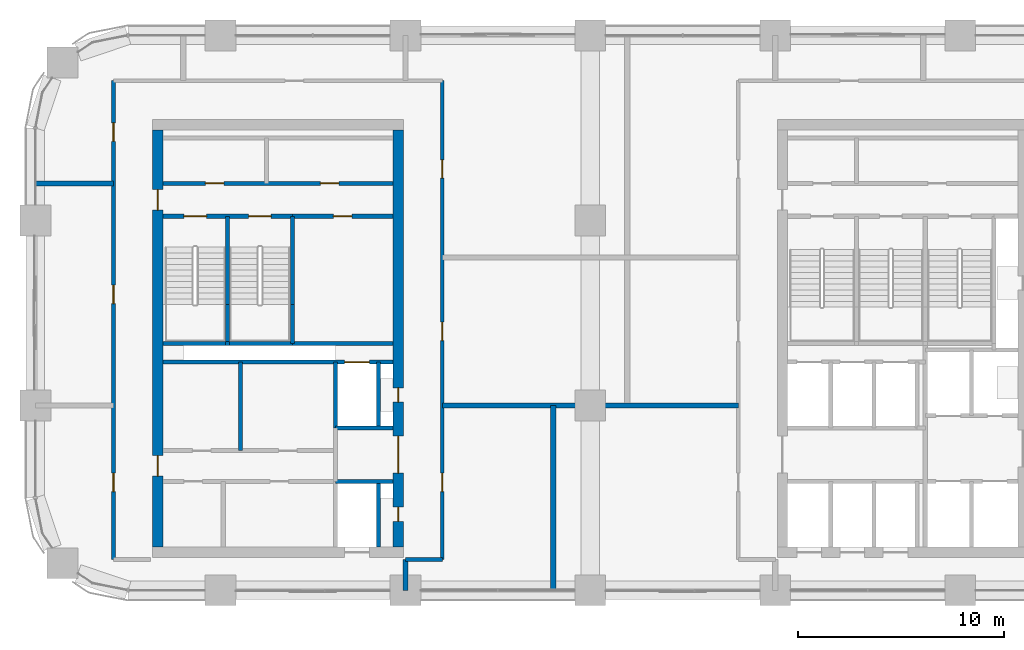
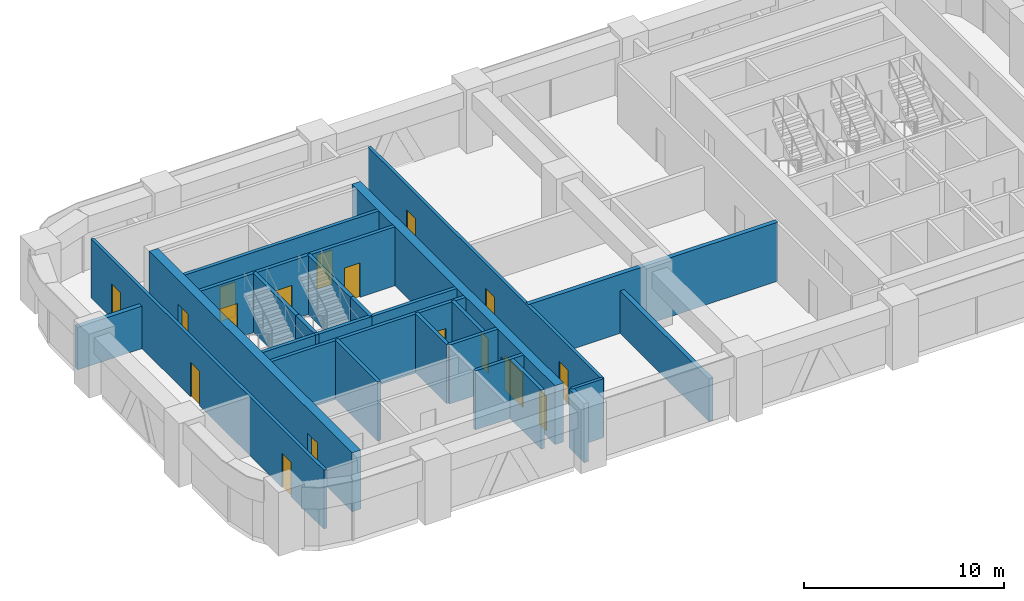
# One storey, part 8 of 18: 27 walls, 17 doors, 17 openings.
"""IFC4 building model written with IfcOpenShell, lengths in metres."""

from ifc_helpers import new_model, si_unit, direction, frame, frame_2d, origin, place, context, subcontext, project, spatial, rectangle, extrude, material, layer, layer_set, type_object, element, fill, save


model = new_model("IFC4")

# Units and contexts
model_context = context("Model", 3, precision=1e-05, world=origin(), true_north=direction((0.0, 1.0)))
body_context = subcontext(model_context, "Body", "Model", "MODEL_VIEW")
ifc_project = project(units=[si_unit("LENGTHUNIT", "METRE"), si_unit("AREAUNIT", "SQUARE_METRE"), si_unit("VOLUMEUNIT", "CUBIC_METRE"), si_unit("PLANEANGLEUNIT", "RADIAN"), si_unit("MASSUNIT", "GRAM", prefix="KILO")], contexts=[model_context])

# Site, building, storey
site_placement = place(None, origin())
site = spatial("IfcSite", under=ifc_project, at=site_placement, CompositionType="ELEMENT")
building_placement = place(site_placement, origin())
building = spatial("IfcBuilding", under=site, at=building_placement, Name="Tessera Arch", CompositionType="ELEMENT")
storey_placement = place(building_placement, frame((0.0, 0.0, 185.60009765625)))
storey = spatial("IfcBuildingStorey", under=building, at=storey_placement, Name="L44", CompositionType="ELEMENT", Elevation=185.60009765625)

# Wall
ifc_material_1 = material(Name="Gypsum board on steel stud", Category="steel")
ifc_layer_1 = layer(ifc_material_1, 0.125)
ifc_layer_set_1 = layer_set([ifc_layer_1], Name="Core partition 125 EI 60")
wall_type_1 = type_object("IfcWallType", Name="Core partition 125 EI 60", PredefinedType="PARTITIONING", material=ifc_layer_set_1)
wall_1_placement = place(storey_placement, frame((9.97998046875, 33.800048828125, 0.0), z_axis=(0.0, 0.0, 1.0), x_axis=(0.0, 1.0, 0.0)))
element("IfcWall", 1, at=wall_1_placement, inside=storey, type_object=wall_type_1, Name="L44 C2 partition wall 4", PredefinedType="PARTITIONING", context=body_context, shape_type="SweptSolid", body=[
    extrude(rectangle(XDim=4.300048828125, YDim=0.199951171875, at=frame_2d((2.14990234375, 0.0))), origin(), (0.0, 0.0, 1.0), 3.599853515625),
])

# Wall, opening, door
wall_2_placement = place(storey_placement, frame((12.5, 45.199951171875, 0.0), z_axis=(0.0, 0.0, 1.0), x_axis=(1.0, 0.0, 0.0)))
wall_2 = element("IfcWall", 2, at=wall_2_placement, inside=storey, type_object=wall_type_1, Name="L44 C2 partition wall 22", PredefinedType="PARTITIONING", context=body_context, shape_type="SweptSolid", body=[
    extrude(rectangle(XDim=4.89990234375, YDim=0.199951171875, at=frame_2d((2.449951171875, 0.0))), origin(), (0.0, 0.0, 1.0), 3.599853515625),
])
opening_1_placement = place(wall_2_placement, frame((2.0, 0.0, 0.0)))
opening_1 = element("IfcOpeningElement", 3, at=opening_1_placement, cuts=wall_2, Name="Opening L44-C31", PredefinedType="OPENING", context=body_context, shape_type="SweptSolid", body=[
    extrude(rectangle(XDim=0.89990234375, YDim=2.10009765625, at=frame_2d((0.449951171875, 1.050048828125))), frame((0.0, 0.10986328125, 0.0), z_axis=(0.0, -1.0, 0.0), x_axis=(1.0, 0.0, 0.0)), (0.0, 0.0, 1.0), 0.219970703125),
])
ifc_material_2 = material(Name="Steel door leaf", Category="steel")
door_type_1 = type_object("IfcDoorType", Name="Store door FD30S 900 x 2100", OperationType="SINGLE_SWING_LEFT", PredefinedType="DOOR", material=ifc_material_2)
door_1_placement = place(opening_1_placement, origin())
door_1 = element("IfcDoor", 4, at=door_1_placement, inside=storey, type_object=door_type_1, Name="L44 C2 door 12 C31 type D09", OperationType="SINGLE_SWING_RIGHT", OverallHeight=2.10009765625, OverallWidth=0.89990234375, PredefinedType="DOOR", context=body_context, shape_type="SweptSolid", body=[
    extrude(rectangle(XDim=0.89990234375, YDim=2.10009765625, at=frame_2d((0.449951171875, 1.050048828125))), frame((0.0, 0.02490234375, 0.0), z_axis=(0.0, -1.0, 0.0), x_axis=(1.0, 0.0, 0.0)), (0.0, 0.0, 1.0), 0.050048828125),
])
fill(opening_1, door_1)

# Wall, openings, doors
wall_3_placement = place(storey_placement, frame((6.199951171875, 46.800048828125, 0.0), z_axis=(0.0, 0.0, 1.0), x_axis=(1.0, 0.0, 0.0)))
wall_3 = element("IfcWall", 5, at=wall_3_placement, inside=storey, type_object=wall_type_1, Name="L44 C2 partition wall 24", PredefinedType="PARTITIONING", context=body_context, shape_type="SweptSolid", body=[
    extrude(rectangle(XDim=11.199951171875, YDim=0.199951171875, at=frame_2d((5.60009765625, 0.0))), origin(), (0.0, 0.0, 1.0), 3.599853515625),
])
opening_2_placement = place(wall_3_placement, frame((2.070068359375, 0.0, 0.0)))
opening_2 = element("IfcOpeningElement", 6, at=opening_2_placement, cuts=wall_3, Name="Opening L44-C29", PredefinedType="OPENING", context=body_context, shape_type="SweptSolid", body=[
    extrude(rectangle(XDim=0.89990234375, YDim=2.10009765625, at=frame_2d((0.449951171875, 1.050048828125))), frame((0.0, 0.10986328125, 0.0), z_axis=(0.0, -1.0, 0.0), x_axis=(1.0, 0.0, 0.0)), (0.0, 0.0, 1.0), 0.219970703125),
])
opening_3_placement = place(wall_3_placement, frame((7.669921875, 0.0, 0.0)))
opening_3 = element("IfcOpeningElement", 7, at=opening_3_placement, cuts=wall_3, Name="Opening L44-C30", PredefinedType="OPENING", context=body_context, shape_type="SweptSolid", body=[
    extrude(rectangle(XDim=0.89990234375, YDim=2.10009765625, at=frame_2d((0.449951171875, 1.050048828125))), frame((0.0, 0.10986328125, 0.0), z_axis=(0.0, -1.0, 0.0), x_axis=(1.0, 0.0, 0.0)), (0.0, 0.0, 1.0), 0.219970703125),
])
door_2_placement = place(opening_2_placement, origin())
door_2 = element("IfcDoor", 8, at=door_2_placement, inside=storey, type_object=door_type_1, Name="L44 C2 door 10 C29 type D09", OperationType="SINGLE_SWING_LEFT", OverallHeight=2.10009765625, OverallWidth=0.89990234375, PredefinedType="DOOR", context=body_context, shape_type="SweptSolid", body=[
    extrude(rectangle(XDim=0.89990234375, YDim=2.10009765625, at=frame_2d((0.449951171875, 1.050048828125))), frame((0.0, 0.02490234375, 0.0), z_axis=(0.0, -1.0, 0.0), x_axis=(1.0, 0.0, 0.0)), (0.0, 0.0, 1.0), 0.050048828125),
])
fill(opening_2, door_2)
door_3_placement = place(opening_3_placement, origin())
door_3 = element("IfcDoor", 9, at=door_3_placement, inside=storey, type_object=door_type_1, Name="L44 C2 door 11 C30 type D09", OperationType="SINGLE_SWING_RIGHT", OverallHeight=2.10009765625, OverallWidth=0.89990234375, PredefinedType="DOOR", context=body_context, shape_type="SweptSolid", body=[
    extrude(rectangle(XDim=0.89990234375, YDim=2.10009765625, at=frame_2d((0.449951171875, 1.050048828125))), frame((0.0, 0.02490234375, 0.0), z_axis=(0.0, -1.0, 0.0), x_axis=(1.0, 0.0, 0.0)), (0.0, 0.0, 1.0), 0.050048828125),
])
fill(opening_3, door_3)

ifc_material_3 = material(Name="Concrete C60/75", Category="concrete")
ifc_layer_2 = layer(ifc_material_3, 0.5)
ifc_layer_set_2 = layer_set([ifc_layer_2], Name="Core shell wall 500 C60-75")
wall_type_2 = type_object("IfcWallType", Name="Core shell wall 500 C60-75", PredefinedType="SHEAR", material=ifc_layer_set_2)
wall_4_placement = place(storey_placement, frame((5.949951171875, 29.10009765625, 0.0), z_axis=(0.0, 0.0, 1.0), x_axis=(0.0, 1.0, 0.0)))
wall_4 = element("IfcWall", 10, at=wall_4_placement, inside=storey, type_object=wall_type_2, Name="L44 C2 core wall W", PredefinedType="SHEAR", context=body_context, shape_type="SweptSolid", body=[
    extrude(rectangle(XDim=20.2998046875, YDim=0.5, at=frame_2d((10.14990234375, 0.0))), origin(), (0.0, 0.0, 1.0), 3.599853515625),
])
opening_4_placement = place(wall_4_placement, frame((3.449951171875, 0.0, 0.0)))
opening_4 = element("IfcOpeningElement", 11, at=opening_4_placement, cuts=wall_4, Name="Opening L44-C27", PredefinedType="OPENING", context=body_context, shape_type="SweptSolid", body=[
    extrude(rectangle(XDim=1.0, YDim=2.10009765625, at=frame_2d((0.5, 1.050048828125))), frame((0.0, 0.260009765625, 0.0), z_axis=(0.0, -1.0, 0.0), x_axis=(1.0, 0.0, 0.0)), (0.0, 0.0, 1.0), 0.52001953125),
])
opening_5_placement = place(wall_4_placement, frame((16.39990234375, 0.0, 0.0)))
opening_5 = element("IfcOpeningElement", 12, at=opening_5_placement, cuts=wall_4, Name="Opening L44-C28", PredefinedType="OPENING", context=body_context, shape_type="SweptSolid", body=[
    extrude(rectangle(XDim=1.0, YDim=2.10009765625, at=frame_2d((0.5, 1.050048828125))), frame((0.0, 0.260009765625, 0.0), z_axis=(0.0, -1.0, 0.0), x_axis=(1.0, 0.0, 0.0)), (0.0, 0.0, 1.0), 0.52001953125),
])
ifc_material_4 = material(Name="Steel door leaf", Category="steel")
door_type_2 = type_object("IfcDoorType", Name="Corridor door FD60 1000 x 2100", OperationType="SINGLE_SWING_LEFT", PredefinedType="DOOR", material=ifc_material_4)
door_4_placement = place(opening_4_placement, origin())
door_4 = element("IfcDoor", 13, at=door_4_placement, inside=storey, type_object=door_type_2, Name="L44 C2 door 8 C27 type D12", OperationType="SINGLE_SWING_LEFT", OverallHeight=2.10009765625, OverallWidth=1.0, PredefinedType="DOOR", context=body_context, shape_type="SweptSolid", body=[
    extrude(rectangle(XDim=1.0, YDim=2.10009765625, at=frame_2d((0.5, 1.050048828125))), frame((0.0, 0.02490234375, 0.0), z_axis=(0.0, -1.0, 0.0), x_axis=(1.0, 0.0, 0.0)), (0.0, 0.0, 1.0), 0.050048828125),
])
fill(opening_4, door_4)
door_5_placement = place(opening_5_placement, origin())
door_5 = element("IfcDoor", 14, at=door_5_placement, inside=storey, type_object=door_type_2, Name="L44 C2 door 9 C28 type D12", OperationType="SINGLE_SWING_RIGHT", OverallHeight=2.10009765625, OverallWidth=1.0, PredefinedType="DOOR", context=body_context, shape_type="SweptSolid", body=[
    extrude(rectangle(XDim=1.0, YDim=2.10009765625, at=frame_2d((0.5, 1.050048828125))), frame((0.0, 0.02490234375, 0.0), z_axis=(0.0, -1.0, 0.0), x_axis=(1.0, 0.0, 0.0)), (0.0, 0.0, 1.0), 0.050048828125),
])
fill(opening_5, door_5)

wall_5_placement = place(storey_placement, frame((17.64990234375, 29.10009765625, 0.0), z_axis=(0.0, 0.0, 1.0), x_axis=(0.0, 1.0, 0.0)))
wall_5 = element("IfcWall", 15, at=wall_5_placement, inside=storey, type_object=wall_type_2, Name="L44 C2 core wall E", PredefinedType="SHEAR", context=body_context, shape_type="SweptSolid", body=[
    extrude(rectangle(XDim=20.2998046875, YDim=0.5, at=frame_2d((10.14990234375, 0.0))), origin(), (0.0, 0.0, 1.0), 3.599853515625),
])
opening_6_placement = place(wall_5_placement, frame((1.25, 0.0, 0.0)))
opening_6 = element("IfcOpeningElement", 16, at=opening_6_placement, cuts=wall_5, Name="Opening L44-C22", PredefinedType="OPENING", context=body_context, shape_type="SweptSolid", body=[
    extrude(rectangle(XDim=0.699951171875, YDim=2.10009765625, at=frame_2d((0.35009765625, 1.050048828125))), frame((0.0, 0.260009765625, 0.0), z_axis=(0.0, -1.0, 0.0), x_axis=(1.0, 0.0, 0.0)), (0.0, 0.0, 1.0), 0.52001953125),
])
opening_7_placement = place(wall_5_placement, frame((7.050048828125, 0.0, 0.0)))
opening_7 = element("IfcOpeningElement", 17, at=opening_7_placement, cuts=wall_5, Name="Opening L44-C23", PredefinedType="OPENING", context=body_context, shape_type="SweptSolid", body=[
    extrude(rectangle(XDim=0.699951171875, YDim=2.10009765625, at=frame_2d((0.35009765625, 1.050048828125))), frame((0.0, 0.260009765625, 0.0), z_axis=(0.0, -1.0, 0.0), x_axis=(1.0, 0.0, 0.0)), (0.0, 0.0, 1.0), 0.52001953125),
])
opening_8_placement = place(wall_5_placement, frame((3.60009765625, 0.0, 0.0)))
opening_8 = element("IfcOpeningElement", 18, at=opening_8_placement, cuts=wall_5, Name="Opening L44-C26", PredefinedType="OPENING", context=body_context, shape_type="SweptSolid", body=[
    extrude(rectangle(XDim=1.800048828125, YDim=2.10009765625, at=frame_2d((0.89990234375, 1.050048828125))), frame((0.0, 0.260009765625, 0.0), z_axis=(0.0, -1.0, 0.0), x_axis=(1.0, 0.0, 0.0)), (0.0, 0.0, 1.0), 0.52001953125),
])
ifc_material_5 = material(Name="Glazed steel door leaf", Category="steel")
door_type_3 = type_object("IfcDoorType", Name="Lobby double door FD30S 1800 x 2100", OperationType="DOUBLE_DOOR_SINGLE_SWING", PredefinedType="DOOR", material=ifc_material_5)
door_6_placement = place(opening_8_placement, origin())
door_6 = element("IfcDoor", 19, at=door_6_placement, inside=storey, type_object=door_type_3, Name="L44 C2 door 7 C26 type D06", OperationType="DOUBLE_DOOR_SINGLE_SWING", OverallHeight=2.10009765625, OverallWidth=1.800048828125, PredefinedType="DOOR", context=body_context, shape_type="SweptSolid", body=[
    extrude(rectangle(XDim=1.800048828125, YDim=2.10009765625, at=frame_2d((0.89990234375, 1.050048828125))), frame((0.0, 0.02490234375, 0.0), z_axis=(0.0, -1.0, 0.0), x_axis=(1.0, 0.0, 0.0)), (0.0, 0.0, 1.0), 0.050048828125),
])
fill(opening_8, door_6)
ifc_material_6 = material(Name="Steel door leaf", Category="steel")
door_type_4 = type_object("IfcDoorType", Name="Service shaft door FD60 700 x 2100", OperationType="SINGLE_SWING_LEFT", PredefinedType="DOOR", material=ifc_material_6)
door_7_placement = place(opening_6_placement, origin())
door_7 = element("IfcDoor", 20, at=door_7_placement, inside=storey, type_object=door_type_4, Name="L44 C2 door 3 C22 type D07", OperationType="SINGLE_SWING_LEFT", OverallHeight=2.10009765625, OverallWidth=0.699951171875, PredefinedType="DOOR", context=body_context, shape_type="SweptSolid", body=[
    extrude(rectangle(XDim=0.699951171875, YDim=2.10009765625, at=frame_2d((0.35009765625, 1.050048828125))), frame((0.0, 0.02490234375, 0.0), z_axis=(0.0, -1.0, 0.0), x_axis=(1.0, 0.0, 0.0)), (0.0, 0.0, 1.0), 0.050048828125),
])
fill(opening_6, door_7)
door_8_placement = place(opening_7_placement, origin())
door_8 = element("IfcDoor", 21, at=door_8_placement, inside=storey, type_object=door_type_4, Name="L44 C2 door 4 C23 type D07", OperationType="SINGLE_SWING_LEFT", OverallHeight=2.10009765625, OverallWidth=0.699951171875, PredefinedType="DOOR", context=body_context, shape_type="SweptSolid", body=[
    extrude(rectangle(XDim=0.699951171875, YDim=2.10009765625, at=frame_2d((0.35009765625, 1.050048828125))), frame((0.0, 0.02490234375, 0.0), z_axis=(0.0, -1.0, 0.0), x_axis=(1.0, 0.0, 0.0)), (0.0, 0.0, 1.0), 0.050048828125),
])
fill(opening_7, door_8)

# Wall
ifc_material_7 = material(Name="Gypsum board on deep steel stud with mineral wool", Category="steel")
ifc_layer_3 = layer(ifc_material_7, 0.175048828125)
ifc_layer_set_3 = layer_set([ifc_layer_3], Name="Corridor wall 175 EI 60")
wall_type_3 = type_object("IfcWallType", Name="Corridor wall 175 EI 60", PredefinedType="PARTITIONING", material=ifc_layer_set_3)
wall_6_placement = place(storey_placement, frame((18.0, 28.5, 0.0), z_axis=(0.0, 0.0, 1.0), x_axis=(1.0, 0.0, 0.0)))
element("IfcWall", 22, at=wall_6_placement, inside=storey, type_object=wall_type_3, Name="L44 partition 2", PredefinedType="PARTITIONING", context=body_context, shape_type="SweptSolid", body=[
    extrude(rectangle(XDim=1.800048828125, YDim=0.175048828125, at=frame_2d((0.89990234375, 0.0))), origin(), (0.0, 0.0, 1.0), 3.599853515625),
])

# Wall, openings, doors
wall_7_placement = place(storey_placement, frame((3.800048828125, 28.5, 0.0), z_axis=(0.0, 0.0, 1.0), x_axis=(0.0, 1.0, 0.0)))
wall_7 = element("IfcWall", 23, at=wall_7_placement, inside=storey, type_object=wall_type_3, Name="L44 partition 7", PredefinedType="PARTITIONING", context=body_context, shape_type="SweptSolid", body=[
    extrude(rectangle(XDim=23.300048828125, YDim=0.175048828125, at=frame_2d((11.64990234375, 0.0))), origin(), (0.0, 0.0, 1.0), 3.599853515625),
])
opening_9_placement = place(wall_7_placement, frame((3.300048828125, 0.0, 0.0)))
opening_9 = element("IfcOpeningElement", 24, at=opening_9_placement, cuts=wall_7, Name="Opening L44-D001", PredefinedType="OPENING", context=body_context, shape_type="SweptSolid", body=[
    extrude(rectangle(XDim=0.89990234375, YDim=2.10009765625, at=frame_2d((0.449951171875, 1.050048828125))), frame((0.0, 0.097412109375, 0.0), z_axis=(0.0, -1.0, 0.0), x_axis=(1.0, 0.0, 0.0)), (0.0, 0.0, 1.0), 0.195068359375),
])
opening_10_placement = place(wall_7_placement, frame((12.449951171875, 0.0, 0.0)))
opening_10 = element("IfcOpeningElement", 25, at=opening_10_placement, cuts=wall_7, Name="Opening L44-D007", PredefinedType="OPENING", context=body_context, shape_type="SweptSolid", body=[
    extrude(rectangle(XDim=0.89990234375, YDim=2.10009765625, at=frame_2d((0.449951171875, 1.050048828125))), frame((0.0, 0.097412109375, 0.0), z_axis=(0.0, -1.0, 0.0), x_axis=(1.0, 0.0, 0.0)), (0.0, 0.0, 1.0), 0.195068359375),
])
opening_11_placement = place(wall_7_placement, frame((20.35009765625, 0.0, 0.0)))
opening_11 = element("IfcOpeningElement", 26, at=opening_11_placement, cuts=wall_7, Name="Opening L44-D011", PredefinedType="OPENING", context=body_context, shape_type="SweptSolid", body=[
    extrude(rectangle(XDim=0.89990234375, YDim=2.10009765625, at=frame_2d((0.449951171875, 1.050048828125))), frame((0.0, 0.097412109375, 0.0), z_axis=(0.0, -1.0, 0.0), x_axis=(1.0, 0.0, 0.0)), (0.0, 0.0, 1.0), 0.195068359375),
])
ifc_material_8 = material(Name="Timber door leaf", Category="wood")
door_type_5 = type_object("IfcDoorType", Name="Room door 900 x 2100", OperationType="SINGLE_SWING_LEFT", PredefinedType="DOOR", material=ifc_material_8)
door_9_placement = place(opening_9_placement, origin())
door_9 = element("IfcDoor", 27, at=door_9_placement, inside=storey, type_object=door_type_5, Name="L44 door D001 type D01", OperationType="SINGLE_SWING_LEFT", OverallHeight=2.10009765625, OverallWidth=0.89990234375, PredefinedType="DOOR", context=body_context, shape_type="SweptSolid", body=[
    extrude(rectangle(XDim=0.89990234375, YDim=2.10009765625, at=frame_2d((0.449951171875, 1.050048828125))), frame((0.0, 0.02490234375, 0.0), z_axis=(0.0, -1.0, 0.0), x_axis=(1.0, 0.0, 0.0)), (0.0, 0.0, 1.0), 0.050048828125),
])
fill(opening_9, door_9)
door_10_placement = place(opening_10_placement, origin())
door_10 = element("IfcDoor", 28, at=door_10_placement, inside=storey, type_object=door_type_5, Name="L44 door D007 type D01", OperationType="SINGLE_SWING_LEFT", OverallHeight=2.10009765625, OverallWidth=0.89990234375, PredefinedType="DOOR", context=body_context, shape_type="SweptSolid", body=[
    extrude(rectangle(XDim=0.89990234375, YDim=2.10009765625, at=frame_2d((0.449951171875, 1.050048828125))), frame((0.0, 0.02490234375, 0.0), z_axis=(0.0, -1.0, 0.0), x_axis=(1.0, 0.0, 0.0)), (0.0, 0.0, 1.0), 0.050048828125),
])
fill(opening_10, door_10)
door_11_placement = place(opening_11_placement, origin())
door_11 = element("IfcDoor", 29, at=door_11_placement, inside=storey, type_object=door_type_5, Name="L44 door D011 type D01", OperationType="SINGLE_SWING_LEFT", OverallHeight=2.10009765625, OverallWidth=0.89990234375, PredefinedType="DOOR", context=body_context, shape_type="SweptSolid", body=[
    extrude(rectangle(XDim=0.89990234375, YDim=2.10009765625, at=frame_2d((0.449951171875, 1.050048828125))), frame((0.0, 0.02490234375, 0.0), z_axis=(0.0, -1.0, 0.0), x_axis=(1.0, 0.0, 0.0)), (0.0, 0.0, 1.0), 0.050048828125),
])
fill(opening_11, door_11)

wall_8_placement = place(storey_placement, frame((19.800048828125, 28.5, 0.0), z_axis=(0.0, 0.0, 1.0), x_axis=(0.0, 1.0, 0.0)))
wall_8 = element("IfcWall", 30, at=wall_8_placement, inside=storey, type_object=wall_type_3, Name="L44 partition 8", PredefinedType="PARTITIONING", context=body_context, shape_type="SweptSolid", body=[
    extrude(rectangle(XDim=23.300048828125, YDim=0.175048828125, at=frame_2d((11.64990234375, 0.0))), origin(), (0.0, 0.0, 1.0), 3.599853515625),
])
opening_12_placement = place(wall_8_placement, frame((3.300048828125, 0.0, 0.0)))
opening_12 = element("IfcOpeningElement", 31, at=opening_12_placement, cuts=wall_8, Name="Opening L44-D003", PredefinedType="OPENING", context=body_context, shape_type="SweptSolid", body=[
    extrude(rectangle(XDim=0.89990234375, YDim=2.10009765625, at=frame_2d((0.449951171875, 1.050048828125))), frame((0.0, 0.097412109375, 0.0), z_axis=(0.0, -1.0, 0.0), x_axis=(1.0, 0.0, 0.0)), (0.0, 0.0, 1.0), 0.195068359375),
])
opening_13_placement = place(wall_8_placement, frame((10.64990234375, 0.0, 0.0)))
opening_13 = element("IfcOpeningElement", 32, at=opening_13_placement, cuts=wall_8, Name="Opening L44-D005", PredefinedType="OPENING", context=body_context, shape_type="SweptSolid", body=[
    extrude(rectangle(XDim=0.89990234375, YDim=2.10009765625, at=frame_2d((0.449951171875, 1.050048828125))), frame((0.0, 0.097412109375, 0.0), z_axis=(0.0, -1.0, 0.0), x_axis=(1.0, 0.0, 0.0)), (0.0, 0.0, 1.0), 0.195068359375),
])
opening_14_placement = place(wall_8_placement, frame((18.550048828125, 0.0, 0.0)))
opening_14 = element("IfcOpeningElement", 33, at=opening_14_placement, cuts=wall_8, Name="Opening L44-D009", PredefinedType="OPENING", context=body_context, shape_type="SweptSolid", body=[
    extrude(rectangle(XDim=0.89990234375, YDim=2.10009765625, at=frame_2d((0.449951171875, 1.050048828125))), frame((0.0, 0.097412109375, 0.0), z_axis=(0.0, -1.0, 0.0), x_axis=(1.0, 0.0, 0.0)), (0.0, 0.0, 1.0), 0.195068359375),
])
door_12_placement = place(opening_12_placement, origin())
door_12 = element("IfcDoor", 34, at=door_12_placement, inside=storey, type_object=door_type_5, Name="L44 door D003 type D01", OperationType="SINGLE_SWING_RIGHT", OverallHeight=2.10009765625, OverallWidth=0.89990234375, PredefinedType="DOOR", context=body_context, shape_type="SweptSolid", body=[
    extrude(rectangle(XDim=0.89990234375, YDim=2.10009765625, at=frame_2d((0.449951171875, 1.050048828125))), frame((0.0, 0.02490234375, 0.0), z_axis=(0.0, -1.0, 0.0), x_axis=(1.0, 0.0, 0.0)), (0.0, 0.0, 1.0), 0.050048828125),
])
fill(opening_12, door_12)
door_13_placement = place(opening_13_placement, origin())
door_13 = element("IfcDoor", 35, at=door_13_placement, inside=storey, type_object=door_type_5, Name="L44 door D005 type D01", OperationType="SINGLE_SWING_RIGHT", OverallHeight=2.10009765625, OverallWidth=0.89990234375, PredefinedType="DOOR", context=body_context, shape_type="SweptSolid", body=[
    extrude(rectangle(XDim=0.89990234375, YDim=2.10009765625, at=frame_2d((0.449951171875, 1.050048828125))), frame((0.0, 0.02490234375, 0.0), z_axis=(0.0, -1.0, 0.0), x_axis=(1.0, 0.0, 0.0)), (0.0, 0.0, 1.0), 0.050048828125),
])
fill(opening_13, door_13)
door_14_placement = place(opening_14_placement, origin())
door_14 = element("IfcDoor", 36, at=door_14_placement, inside=storey, type_object=door_type_5, Name="L44 door D009 type D01", OperationType="SINGLE_SWING_RIGHT", OverallHeight=2.10009765625, OverallWidth=0.89990234375, PredefinedType="DOOR", context=body_context, shape_type="SweptSolid", body=[
    extrude(rectangle(XDim=0.89990234375, YDim=2.10009765625, at=frame_2d((0.449951171875, 1.050048828125))), frame((0.0, 0.02490234375, 0.0), z_axis=(0.0, -1.0, 0.0), x_axis=(1.0, 0.0, 0.0)), (0.0, 0.0, 1.0), 0.050048828125),
])
fill(opening_14, door_14)

# Walls
ifc_material_9 = material(Name="Double gypsum board on twin steel stud with acoustic mineral wool", Category="steel")
ifc_layer_4 = layer(ifc_material_9, 0.25)
ifc_layer_set_4 = layer_set([ifc_layer_4], Name="Party wall 250 EI 60")
wall_type_4 = type_object("IfcWallType", Name="Party wall 250 EI 60", PredefinedType="PARTITIONING", material=ifc_layer_set_4)
wall_9_placement = place(storey_placement, frame((19.800048828125, 36.0, 0.0), z_axis=(0.0, 0.0, 1.0), x_axis=(1.0, 0.0, 0.0)))
element("IfcWall", 37, at=wall_9_placement, inside=storey, type_object=wall_type_4, Name="L44 partition 12", PredefinedType="PARTITIONING", context=body_context, shape_type="SweptSolid", body=[
    extrude(rectangle(XDim=14.39990234375, YDim=0.25, at=frame_2d((7.199951171875, 0.0))), origin(), (0.0, 0.0, 1.0), 3.599853515625),
])
wall_10_placement = place(storey_placement, frame((0.0, 46.800048828125, 0.0), z_axis=(0.0, 0.0, 1.0), x_axis=(1.0, 0.0, 0.0)))
element("IfcWall", 38, at=wall_10_placement, inside=storey, type_object=wall_type_4, Name="L44 partition 15", PredefinedType="PARTITIONING", context=body_context, shape_type="SweptSolid", body=[
    extrude(rectangle(XDim=3.800048828125, YDim=0.25, at=frame_2d((1.89990234375, 0.0))), origin(), (0.0, 0.0, 1.0), 2.599853515625),
])
wall_11_placement = place(storey_placement, frame((18.0, 27.0, 0.0), z_axis=(0.0, 0.0, 1.0), x_axis=(0.0, 1.0, 0.0)))
element("IfcWall", 39, at=wall_11_placement, inside=storey, type_object=wall_type_4, Name="L44 partition 17", PredefinedType="PARTITIONING", context=body_context, shape_type="SweptSolid", body=[
    extrude(rectangle(XDim=1.5, YDim=0.25, at=frame_2d((0.75, 0.0))), origin(), (0.0, 0.0, 1.0), 3.599853515625),
])
wall_12_placement = place(storey_placement, frame((25.199951171875, 27.0, 0.0), z_axis=(0.0, 0.0, 1.0), x_axis=(0.0, 1.0, 0.0)))
element("IfcWall", 40, at=wall_12_placement, inside=storey, type_object=wall_type_4, Name="L44 partition 19", PredefinedType="PARTITIONING", context=body_context, shape_type="SweptSolid", body=[
    extrude(rectangle(XDim=9.0, YDim=0.25, at=frame_2d((4.5, 0.0))), origin(), (0.0, 0.0, 1.0), 2.599853515625),
])
ifc_material_10 = material(Name="Concrete C40/50", Category="concrete")
ifc_layer_5 = layer(ifc_material_10, 0.199951171875)
ifc_layer_set_5 = layer_set([ifc_layer_5], Name="Shaft wall 200 EI 120")
wall_type_5 = type_object("IfcWallType", Name="Shaft wall 200 EI 120", PredefinedType="SOLIDWALL", material=ifc_layer_set_5)
wall_13_placement = place(storey_placement, frame((14.60009765625, 34.89990234375, 0.0), z_axis=(0.0, 0.0, 1.0), x_axis=(0.0, 1.0, 0.0)))
element("IfcWall", 41, at=wall_13_placement, inside=storey, type_object=wall_type_5, Name="L44 C2 shaft wall 10", PredefinedType="SOLIDWALL", context=body_context, shape_type="SweptSolid", body=[
    extrude(rectangle(XDim=3.2001953125, YDim=0.199951171875, at=frame_2d((1.60009765625, 0.0))), origin(), (0.0, 0.0, 1.0), 3.599853515625),
])
wall_14_placement = place(storey_placement, frame((16.699951171875, 29.10009765625, 0.0), z_axis=(0.0, 0.0, 1.0), x_axis=(0.0, 1.0, 0.0)))
element("IfcWall", 42, at=wall_14_placement, inside=storey, type_object=wall_type_5, Name="L44 C2 shaft wall 11", PredefinedType="SOLIDWALL", context=body_context, shape_type="SweptSolid", body=[
    extrude(rectangle(XDim=3.199951171875, YDim=0.199951171875, at=frame_2d((1.60009765625, 0.0))), origin(), (0.0, 0.0, 1.0), 3.599853515625),
])
wall_15_placement = place(storey_placement, frame((16.699951171875, 34.89990234375, 0.0), z_axis=(0.0, 0.0, 1.0), x_axis=(0.0, 1.0, 0.0)))
element("IfcWall", 43, at=wall_15_placement, inside=storey, type_object=wall_type_5, Name="L44 C2 shaft wall 12", PredefinedType="SOLIDWALL", context=body_context, shape_type="SweptSolid", body=[
    extrude(rectangle(XDim=3.2001953125, YDim=0.199951171875, at=frame_2d((1.60009765625, 0.0))), origin(), (0.0, 0.0, 1.0), 3.599853515625),
])
for number, where, z_axis, x_axis, name in (
    (44, (14.60009765625, 32.300048828125, 0.0), (0.0, 0.0, 1.0), (1.0, 0.0, 0.0), "L44 C2 shaft wall 14"),
    (45, (14.60009765625, 34.89990234375, 0.0), (0.0, 0.0, 1.0), (1.0, 0.0, 0.0), "L44 C2 shaft wall 16"),
):
    element("IfcWall", number, at=place(storey_placement, frame(where, z_axis=z_axis, x_axis=x_axis)), inside=storey, type_object=wall_type_5, Name=name, PredefinedType="SOLIDWALL", context=body_context, shape_type="SweptSolid", body=[
        extrude(rectangle(XDim=2.7998046875, YDim=0.199951171875, at=frame_2d((1.39990234375, 0.0))), origin(), (0.0, 0.0, 1.0), 3.599853515625),
    ])

# Wall, opening, door
wall_16_placement = place(storey_placement, frame((6.199951171875, 38.10009765625, 0.0), z_axis=(0.0, 0.0, 1.0), x_axis=(1.0, 0.0, 0.0)))
wall_16 = element("IfcWall", 46, at=wall_16_placement, inside=storey, type_object=wall_type_5, Name="L44 C2 shaft wall 17", PredefinedType="SOLIDWALL", context=body_context, shape_type="SweptSolid", body=[
    extrude(rectangle(XDim=11.199951171875, YDim=0.199951171875, at=frame_2d((5.60009765625, 0.0))), origin(), (0.0, 0.0, 1.0), 3.599853515625),
])
opening_15_placement = place(wall_16_placement, frame((8.85009765625, 0.0, 0.0)))
opening_15 = element("IfcOpeningElement", 47, at=opening_15_placement, cuts=wall_16, Name="Opening L44-C21", PredefinedType="OPENING", context=body_context, shape_type="SweptSolid", body=[
    extrude(rectangle(XDim=1.199951171875, YDim=2.10009765625, at=frame_2d((0.60009765625, 1.050048828125))), frame((0.0, 0.10986328125, 0.0), z_axis=(0.0, -1.0, 0.0), x_axis=(1.0, 0.0, 0.0)), (0.0, 0.0, 1.0), 0.219970703125),
])
ifc_material_11 = material(Name="Stainless steel AISI 304", Category="steel")
door_type_6 = type_object("IfcDoorType", Name="Sliding landing door 1200 x 2100", OperationType="SLIDING_TO_LEFT", PredefinedType="DOOR", material=ifc_material_11)
door_15_placement = place(opening_15_placement, origin())
door_15 = element("IfcDoor", 48, at=door_15_placement, inside=storey, type_object=door_type_6, Name="L44 HR8 lift landing door C21 type LD", OperationType="SLIDING_TO_LEFT", OverallHeight=2.10009765625, OverallWidth=1.199951171875, PredefinedType="DOOR", context=body_context, shape_type="SweptSolid", body=[
    extrude(rectangle(XDim=1.199951171875, YDim=2.10009765625, at=frame_2d((0.60009765625, 1.050048828125))), frame((0.0, 0.02490234375, 0.0), z_axis=(0.0, -1.0, 0.0), x_axis=(1.0, 0.0, 0.0)), (0.0, 0.0, 1.0), 0.050048828125),
])
fill(opening_15, door_15)

# Walls
wall_17_placement = place(storey_placement, frame((12.5, 39.0, 0.0), z_axis=(0.0, 0.0, 1.0), x_axis=(1.0, 0.0, 0.0)))
element("IfcWall", 49, at=wall_17_placement, inside=storey, type_object=wall_type_5, Name="L44 C2 shaft wall 18", PredefinedType="SOLIDWALL", context=body_context, shape_type="SweptSolid", body=[
    extrude(rectangle(XDim=4.89990234375, YDim=0.199951171875, at=frame_2d((2.449951171875, 0.0))), origin(), (0.0, 0.0, 1.0), 3.599853515625),
])
ifc_material_12 = material(Name="Concrete C40/50", Category="concrete")
ifc_layer_6 = layer(ifc_material_12, 0.199951171875)
ifc_layer_set_6 = layer_set([ifc_layer_6], Name="Stair well wall 200 REI 180")
wall_type_6 = type_object("IfcWallType", Name="Stair well wall 200 REI 180", PredefinedType="SOLIDWALL", material=ifc_layer_set_6)
wall_18_placement = place(storey_placement, frame((9.35009765625, 39.0, 0.0), z_axis=(0.0, 0.0, 1.0), x_axis=(0.0, 1.0, 0.0)))
element("IfcWall", 50, at=wall_18_placement, inside=storey, type_object=wall_type_6, Name="L44 C2 shaft wall 2", PredefinedType="SOLIDWALL", context=body_context, shape_type="SweptSolid", body=[
    extrude(rectangle(XDim=1.89990234375, YDim=0.199951171875, at=frame_2d((0.949951171875, 0.0))), origin(), (0.0, 0.0, 1.0), 3.599853515625),
])
wall_19_placement = place(storey_placement, frame((9.35009765625, 40.89990234375, 0.0), z_axis=(0.0, 0.0, 1.0), x_axis=(0.0, 1.0, 0.0)))
element("IfcWall", 51, at=wall_19_placement, inside=storey, type_object=wall_type_6, Name="L44 C2 shaft wall 3", PredefinedType="SOLIDWALL", context=body_context, shape_type="SweptSolid", body=[
    extrude(rectangle(XDim=4.300048828125, YDim=0.199951171875, at=frame_2d((2.14990234375, 0.0))), origin(), (0.0, 0.0, 1.0), 3.599853515625),
])
wall_20_placement = place(storey_placement, frame((12.5, 39.0, 0.0), z_axis=(0.0, 0.0, 1.0), x_axis=(0.0, 1.0, 0.0)))
element("IfcWall", 52, at=wall_20_placement, inside=storey, type_object=wall_type_6, Name="L44 C2 shaft wall 6", PredefinedType="SOLIDWALL", context=body_context, shape_type="SweptSolid", body=[
    extrude(rectangle(XDim=1.89990234375, YDim=0.199951171875, at=frame_2d((0.949951171875, 0.0))), origin(), (0.0, 0.0, 1.0), 3.599853515625),
])
wall_21_placement = place(storey_placement, frame((12.5, 40.89990234375, 0.0), z_axis=(0.0, 0.0, 1.0), x_axis=(0.0, 1.0, 0.0)))
element("IfcWall", 53, at=wall_21_placement, inside=storey, type_object=wall_type_6, Name="L44 C2 shaft wall 7", PredefinedType="SOLIDWALL", context=body_context, shape_type="SweptSolid", body=[
    extrude(rectangle(XDim=4.300048828125, YDim=0.199951171875, at=frame_2d((2.14990234375, 0.0))), origin(), (0.0, 0.0, 1.0), 3.599853515625),
])
wall_22_placement = place(storey_placement, frame((6.199951171875, 39.0, 0.0), z_axis=(0.0, 0.0, 1.0), x_axis=(1.0, 0.0, 0.0)))
element("IfcWall", 54, at=wall_22_placement, inside=storey, type_object=wall_type_6, Name="L44 C2 shaft wall 19", PredefinedType="SOLIDWALL", context=body_context, shape_type="SweptSolid", body=[
    extrude(rectangle(XDim=3.050048828125, YDim=0.199951171875, at=frame_2d((1.52490234375, 0.0))), origin(), (0.0, 0.0, 1.0), 3.599853515625),
])
wall_23_placement = place(storey_placement, frame((9.25, 39.0, 0.0), z_axis=(0.0, 0.0, 1.0), x_axis=(1.0, 0.0, 0.0)))
element("IfcWall", 55, at=wall_23_placement, inside=storey, type_object=wall_type_6, Name="L44 C2 shaft wall 20", PredefinedType="SOLIDWALL", context=body_context, shape_type="SweptSolid", body=[
    extrude(rectangle(XDim=0.199951171875, YDim=0.199951171875, at=frame_2d((0.10009765625, 0.0))), origin(), (0.0, 0.0, 1.0), 3.599853515625),
])
wall_24_placement = place(storey_placement, frame((9.449951171875, 39.0, 0.0), z_axis=(0.0, 0.0, 1.0), x_axis=(1.0, 0.0, 0.0)))
element("IfcWall", 56, at=wall_24_placement, inside=storey, type_object=wall_type_6, Name="L44 C2 shaft wall 21", PredefinedType="SOLIDWALL", context=body_context, shape_type="SweptSolid", body=[
    extrude(rectangle(XDim=3.050048828125, YDim=0.199951171875, at=frame_2d((1.52490234375, 0.0))), origin(), (0.0, 0.0, 1.0), 3.599853515625),
])

# Wall, openings, doors
wall_25_placement = place(storey_placement, frame((6.199951171875, 45.199951171875, 0.0), z_axis=(0.0, 0.0, 1.0), x_axis=(1.0, 0.0, 0.0)))
wall_25 = element("IfcWall", 57, at=wall_25_placement, inside=storey, type_object=wall_type_6, Name="L44 C2 shaft wall 23", PredefinedType="SOLIDWALL", context=body_context, shape_type="SweptSolid", body=[
    extrude(rectangle(XDim=6.300048828125, YDim=0.199951171875, at=frame_2d((3.14990234375, 0.0))), origin(), (0.0, 0.0, 1.0), 3.599853515625),
])
opening_16_placement = place(wall_25_placement, frame((1.02490234375, 0.0, 0.0)))
opening_16 = element("IfcOpeningElement", 58, at=opening_16_placement, cuts=wall_25, Name="Opening L44-C24", PredefinedType="OPENING", context=body_context, shape_type="SweptSolid", body=[
    extrude(rectangle(XDim=1.10009765625, YDim=2.10009765625, at=frame_2d((0.550048828125, 1.050048828125))), frame((0.0, 0.10986328125, 0.0), z_axis=(0.0, -1.0, 0.0), x_axis=(1.0, 0.0, 0.0)), (0.0, 0.0, 1.0), 0.219970703125),
])
opening_17_placement = place(wall_25_placement, frame((4.175048828125, 0.0, 0.0)))
opening_17 = element("IfcOpeningElement", 59, at=opening_17_placement, cuts=wall_25, Name="Opening L44-C25", PredefinedType="OPENING", context=body_context, shape_type="SweptSolid", body=[
    extrude(rectangle(XDim=1.10009765625, YDim=2.10009765625, at=frame_2d((0.550048828125, 1.050048828125))), frame((0.0, 0.10986328125, 0.0), z_axis=(0.0, -1.0, 0.0), x_axis=(1.0, 0.0, 0.0)), (0.0, 0.0, 1.0), 0.219970703125),
])
ifc_material_13 = material(Name="Steel door leaf", Category="steel")
door_type_7 = type_object("IfcDoorType", Name="Stair door FD60 1100 x 2100", OperationType="SINGLE_SWING_LEFT", PredefinedType="DOOR", material=ifc_material_13)
door_16_placement = place(opening_16_placement, origin())
door_16 = element("IfcDoor", 60, at=door_16_placement, inside=storey, type_object=door_type_7, Name="L44 C2 door 5 C24 type D05", OperationType="SINGLE_SWING_LEFT", OverallHeight=2.10009765625, OverallWidth=1.10009765625, PredefinedType="DOOR", context=body_context, shape_type="SweptSolid", body=[
    extrude(rectangle(XDim=1.10009765625, YDim=2.10009765625, at=frame_2d((0.550048828125, 1.050048828125))), frame((0.0, 0.02490234375, 0.0), z_axis=(0.0, -1.0, 0.0), x_axis=(1.0, 0.0, 0.0)), (0.0, 0.0, 1.0), 0.050048828125),
])
fill(opening_16, door_16)
door_17_placement = place(opening_17_placement, origin())
door_17 = element("IfcDoor", 61, at=door_17_placement, inside=storey, type_object=door_type_7, Name="L44 C2 door 6 C25 type D05", OperationType="SINGLE_SWING_RIGHT", OverallHeight=2.10009765625, OverallWidth=1.10009765625, PredefinedType="DOOR", context=body_context, shape_type="SweptSolid", body=[
    extrude(rectangle(XDim=1.10009765625, YDim=2.10009765625, at=frame_2d((0.550048828125, 1.050048828125))), frame((0.0, 0.02490234375, 0.0), z_axis=(0.0, -1.0, 0.0), x_axis=(1.0, 0.0, 0.0)), (0.0, 0.0, 1.0), 0.050048828125),
])
fill(opening_17, door_17)

save(model, "model.ifc")
